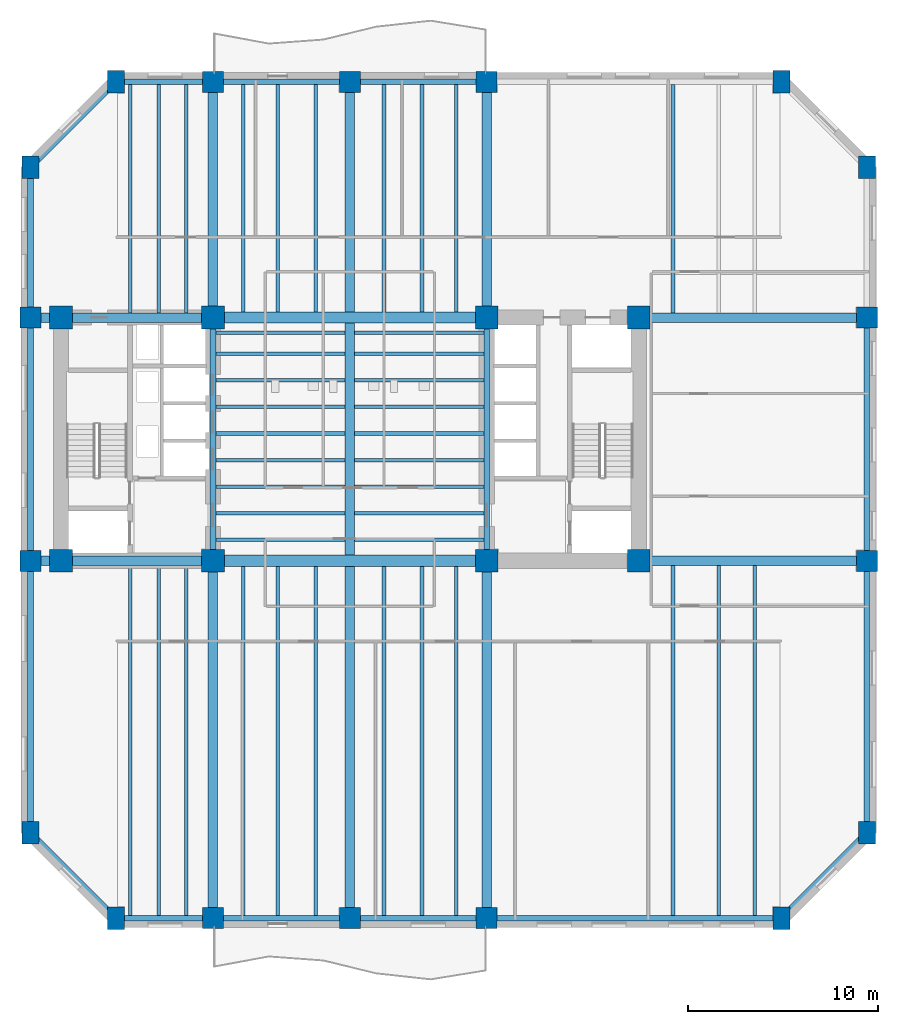
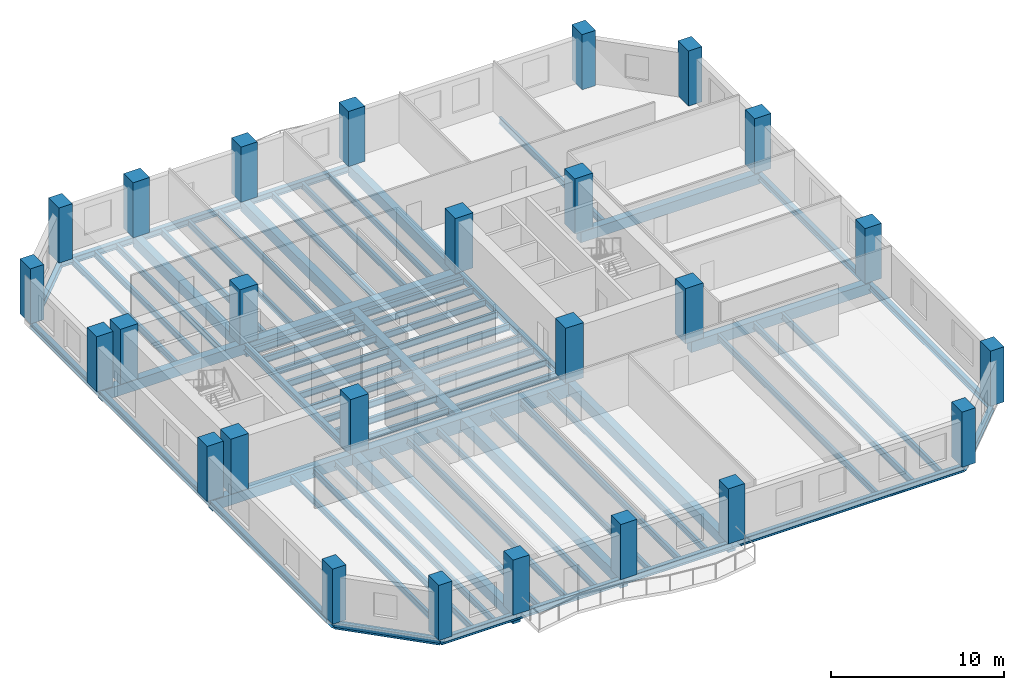
# One storey, part 1 of 9: 70 beams, 26 columns.
"""IFC4 building model written with IfcOpenShell, lengths in metres."""

from ifc_helpers import new_model, si_unit, direction, frame, origin, origin_2d, place, context, subcontext, project, spatial, rectangle, i_section, extrude, material, material_profile, profile_set, type_object, element, save


model = new_model("IFC4")

# Units and contexts
model_context = context("Model", 3, precision=1e-05, world=origin(), true_north=direction((0.0, 1.0)))
body_context = subcontext(model_context, "Body", "Model", "MODEL_VIEW")
ifc_project = project(units=[si_unit("LENGTHUNIT", "METRE"), si_unit("AREAUNIT", "SQUARE_METRE"), si_unit("VOLUMEUNIT", "CUBIC_METRE"), si_unit("PLANEANGLEUNIT", "RADIAN"), si_unit("MASSUNIT", "GRAM", prefix="KILO")], contexts=[model_context])

# Site, building, storey
site_placement = place(None, origin())
site = spatial("IfcSite", under=ifc_project, at=site_placement, CompositionType="ELEMENT")
building_placement = place(site_placement, origin())
building = spatial("IfcBuilding", under=site, at=building_placement, Name="Kranthara Brick Stack", CompositionType="ELEMENT")
storey_placement = place(building_placement, frame((0.0, 0.0, 59.39990234375)))
storey = spatial("IfcBuildingStorey", under=building, at=storey_placement, Name="L14", CompositionType="ELEMENT", Elevation=59.39990234375)

# Columns
ifc_material_1 = material(Name="Concrete C70/85", Category="concrete")
ifc_material_profile_1 = material_profile(ifc_material_1, rectangle(XDim=0.89990234375, YDim=1.199951171875, at=origin_2d()), Name="RC 900x1200")
ifc_profile_set_1 = profile_set([ifc_material_profile_1], Name="Concrete C70/85")
column_type_1 = type_object("IfcColumnType", Name="COL-CHAM-900x1200", PredefinedType="COLUMN", material=ifc_profile_set_1)
for number, where, z_axis, x_axis, name in (
    (1, (15.699951171875, 2.0, 0.0), (0.0, 0.0, 1.0), (1.0, 0.0, 0.0), "L14 Column 09"),
    (2, (15.699951171875, 46.0, 0.0), (0.0, 0.0, 1.0), (1.0, 0.0, 0.0), "L14 Column 10"),
    (3, (50.699951171875, 2.0, 0.0), (0.0, 0.0, 1.0), (1.0, 0.0, 0.0), "L14 Column 17"),
    (4, (50.699951171875, 46.0, 0.0), (0.0, 0.0, 1.0), (1.0, 0.0, 0.0), "L14 Column 18"),
    (5, (11.199951171875, 6.5, 0.0), (0.0, 0.0, 1.0), (1.0, 0.0, 0.0), "L14 Column 19"),
    (6, (55.199951171875, 6.5, 0.0), (0.0, 0.0, 1.0), (1.0, 0.0, 0.0), "L14 Column 20"),
    (7, (11.199951171875, 41.5, 0.0), (0.0, 0.0, 1.0), (1.0, 0.0, 0.0), "L14 Column 25"),
    (8, (55.199951171875, 41.5, 0.0), (0.0, 0.0, 1.0), (1.0, 0.0, 0.0), "L14 Column 26"),
):
    element("IfcColumn", number, at=place(storey_placement, frame(where, z_axis=z_axis, x_axis=x_axis)), inside=storey, type_object=column_type_1, Name=name, PredefinedType="COLUMN", context=body_context, shape_type="SweptSolid", body=[
        extrude(rectangle(XDim=0.89990234375, YDim=1.199951171875, at=origin_2d()), origin(), (0.0, 0.0, 1.0), 3.900146484375),
    ])
ifc_material_2 = material(Name="Concrete C70/85", Category="concrete")
ifc_material_profile_2 = material_profile(ifc_material_2, rectangle(XDim=1.199951171875, YDim=1.199951171875, at=origin_2d()), Name="RC 1200x1200")
ifc_profile_set_2 = profile_set([ifc_material_profile_2], Name="Concrete C70/85")
column_type_2 = type_object("IfcColumnType", Name="COL-CORE-1200", PredefinedType="COLUMN", material=ifc_profile_set_2)
for number, where, z_axis, x_axis, name in (
    (9, (12.800048828125, 20.800048828125, 0.0), (0.0, 0.0, 1.0), (1.0, 0.0, 0.0), "L14 Column 01"),
    (10, (20.800048828125, 20.800048828125, 0.0), (0.0, 0.0, 1.0), (1.0, 0.0, 0.0), "L14 Column 02"),
    (11, (12.800048828125, 33.60009765625, 0.0), (0.0, 0.0, 1.0), (1.0, 0.0, 0.0), "L14 Column 03"),
    (12, (20.800048828125, 33.60009765625, 0.0), (0.0, 0.0, 1.0), (1.0, 0.0, 0.0), "L14 Column 04"),
    (13, (35.199951171875, 20.800048828125, 0.0), (0.0, 0.0, 1.0), (1.0, 0.0, 0.0), "L14 Column 05"),
    (14, (43.199951171875, 20.800048828125, 0.0), (0.0, 0.0, 1.0), (1.0, 0.0, 0.0), "L14 Column 06"),
    (15, (35.199951171875, 33.60009765625, 0.0), (0.0, 0.0, 1.0), (1.0, 0.0, 0.0), "L14 Column 07"),
    (16, (43.199951171875, 33.60009765625, 0.0), (0.0, 0.0, 1.0), (1.0, 0.0, 0.0), "L14 Column 08"),
):
    element("IfcColumn", number, at=place(storey_placement, frame(where, z_axis=z_axis, x_axis=x_axis)), inside=storey, type_object=column_type_2, Name=name, PredefinedType="COLUMN", context=body_context, shape_type="SweptSolid", body=[
        extrude(rectangle(XDim=1.199951171875, YDim=1.199951171875, at=origin_2d()), origin(), (0.0, 0.0, 1.0), 3.900146484375),
    ])
ifc_material_3 = material(Name="Concrete C70/85", Category="concrete")
ifc_material_profile_3 = material_profile(ifc_material_3, rectangle(XDim=1.10009765625, YDim=1.10009765625, at=origin_2d()), Name="RC 1100x1100")
ifc_profile_set_3 = profile_set([ifc_material_profile_3], Name="Concrete C70/85")
column_type_3 = type_object("IfcColumnType", Name="COL-PER-1100", PredefinedType="COLUMN", material=ifc_profile_set_3)
for number, where, z_axis, x_axis, name in (
    (17, (20.800048828125, 2.0, 0.0), (0.0, 0.0, 1.0), (1.0, 0.0, 0.0), "L14 Column 11"),
    (18, (20.800048828125, 46.0, 0.0), (0.0, 0.0, 1.0), (1.0, 0.0, 0.0), "L14 Column 12"),
    (19, (28.0, 2.0, 0.0), (0.0, 0.0, 1.0), (1.0, 0.0, 0.0), "L14 Column 13"),
    (20, (28.0, 46.0, 0.0), (0.0, 0.0, 1.0), (1.0, 0.0, 0.0), "L14 Column 14"),
    (21, (35.199951171875, 2.0, 0.0), (0.0, 0.0, 1.0), (1.0, 0.0, 0.0), "L14 Column 15"),
    (22, (35.199951171875, 46.0, 0.0), (0.0, 0.0, 1.0), (1.0, 0.0, 0.0), "L14 Column 16"),
    (23, (11.199951171875, 20.800048828125, 0.0), (0.0, 0.0, 1.0), (1.0, 0.0, 0.0), "L14 Column 21"),
    (24, (55.199951171875, 20.800048828125, 0.0), (0.0, 0.0, 1.0), (1.0, 0.0, 0.0), "L14 Column 22"),
    (25, (11.199951171875, 33.60009765625, 0.0), (0.0, 0.0, 1.0), (1.0, 0.0, 0.0), "L14 Column 23"),
    (26, (55.199951171875, 33.60009765625, 0.0), (0.0, 0.0, 1.0), (1.0, 0.0, 0.0), "L14 Column 24"),
):
    element("IfcColumn", number, at=place(storey_placement, frame(where, z_axis=z_axis, x_axis=x_axis)), inside=storey, type_object=column_type_3, Name=name, PredefinedType="COLUMN", context=body_context, shape_type="SweptSolid", body=[
        extrude(rectangle(XDim=1.10009765625, YDim=1.10009765625, at=origin_2d()), origin(), (0.0, 0.0, 1.0), 3.900146484375),
    ])

# Beams
ifc_material_4 = material(Name="Concrete C60/75", Category="concrete")
ifc_material_profile_4 = material_profile(ifc_material_4, rectangle(XDim=0.60009765625, YDim=0.949951171875, at=origin_2d()), Name="RC 600x950")
ifc_profile_set_4 = profile_set([ifc_material_profile_4], Name="Concrete C60/75")
beam_type_1 = type_object("IfcBeamType", Name="BM-CPL-RC950", PredefinedType="LINTEL", material=ifc_profile_set_4)
for number, where, z_axis, x_axis, name in (
    (27, (20.800048828125, 20.800048828125, -0.77490234375), (1.0, 0.0, 0.0), (0.0, 1.0, 0.0), "L14 Core Coupling Beam 001"),
    (28, (20.800048828125, 33.60009765625, -0.77490234375), (1.0, 0.0, 0.0), (0.0, 1.0, 0.0), "L14 Core Coupling Beam 002"),
):
    element("IfcBeam", number, at=place(storey_placement, frame(where, z_axis=z_axis, x_axis=x_axis)), inside=storey, type_object=beam_type_1, Name=name, PredefinedType="LINTEL", context=body_context, shape_type="SweptSolid", body=[
        extrude(rectangle(XDim=0.60009765625, YDim=0.949951171875, at=origin_2d()), origin(), (0.0, 0.0, 1.0), 14.39990234375),
    ])
ifc_material_5 = material(Name="Post-tensioned concrete C45/55", Category="concrete")
ifc_material_profile_5 = material_profile(ifc_material_5, rectangle(XDim=0.5, YDim=0.75, at=origin_2d()), Name="PT 500x750")
ifc_profile_set_5 = profile_set([ifc_material_profile_5], Name="Post-tensioned concrete C45/55")
beam_type_2 = type_object("IfcBeamType", Name="BM-FLR-PT750", PredefinedType="BEAM", material=ifc_profile_set_5)
beam_1_placement = place(storey_placement, frame((20.800048828125, 2.0, -0.6748046875), z_axis=(0.0, 1.0, 0.0), x_axis=(-1.0, 0.0, 0.0)))
element("IfcBeam", 29, at=beam_1_placement, inside=storey, type_object=beam_type_2, Name="L14 Primary Grid Girder 023", PredefinedType="BEAM", context=body_context, shape_type="SweptSolid", body=[
    extrude(rectangle(XDim=0.5, YDim=0.75, at=origin_2d()), origin(), (0.0, 0.0, 1.0), 18.800048828125),
])
beam_2_placement = place(storey_placement, frame((20.800048828125, 33.60009765625, -0.6748046875), z_axis=(0.0, 1.0, 0.0), x_axis=(-1.0, 0.0, 0.0)))
element("IfcBeam", 30, at=beam_2_placement, inside=storey, type_object=beam_type_2, Name="L14 Primary Grid Girder 024", PredefinedType="BEAM", context=body_context, shape_type="SweptSolid", body=[
    extrude(rectangle(XDim=0.5, YDim=0.75, at=origin_2d()), origin(), (0.0, 0.0, 1.0), 12.39990234375),
])
beam_3_placement = place(storey_placement, frame((28.0, 2.0, -0.6748046875), z_axis=(0.0, 1.0, 0.0), x_axis=(-1.0, 0.0, 0.0)))
element("IfcBeam", 31, at=beam_3_placement, inside=storey, type_object=beam_type_2, Name="L14 Primary Grid Girder 025", PredefinedType="BEAM", context=body_context, shape_type="SweptSolid", body=[
    extrude(rectangle(XDim=0.5, YDim=0.75, at=origin_2d()), origin(), (0.0, 0.0, 1.0), 18.5),
])
beam_4_placement = place(storey_placement, frame((28.0, 21.10009765625, -0.6748046875), z_axis=(0.0, 1.0, 0.0), x_axis=(-1.0, 0.0, 0.0)))
element("IfcBeam", 32, at=beam_4_placement, inside=storey, type_object=beam_type_2, Name="L14 Central Spine Girder 026", PredefinedType="BEAM", context=body_context, shape_type="SweptSolid", body=[
    extrude(rectangle(XDim=0.5, YDim=0.75, at=origin_2d()), origin(), (0.0, 0.0, 1.0), 12.199951171875),
])
beam_5_placement = place(storey_placement, frame((28.0, 33.89990234375, -0.6748046875), z_axis=(0.0, 1.0, 0.0), x_axis=(-1.0, 0.0, 0.0)))
element("IfcBeam", 33, at=beam_5_placement, inside=storey, type_object=beam_type_2, Name="L14 Primary Grid Girder 027", PredefinedType="BEAM", context=body_context, shape_type="SweptSolid", body=[
    extrude(rectangle(XDim=0.5, YDim=0.75, at=origin_2d()), origin(), (0.0, 0.0, 1.0), 12.10009765625),
])
beam_6_placement = place(storey_placement, frame((35.199951171875, 2.0, -0.6748046875), z_axis=(0.0, 1.0, 0.0), x_axis=(-1.0, 0.0, 0.0)))
element("IfcBeam", 34, at=beam_6_placement, inside=storey, type_object=beam_type_2, Name="L14 Primary Grid Girder 028", PredefinedType="BEAM", context=body_context, shape_type="SweptSolid", body=[
    extrude(rectangle(XDim=0.5, YDim=0.75, at=origin_2d()), origin(), (0.0, 0.0, 1.0), 18.800048828125),
])
beam_7_placement = place(storey_placement, frame((35.199951171875, 33.60009765625, -0.6748046875), z_axis=(0.0, 1.0, 0.0), x_axis=(-1.0, 0.0, 0.0)))
element("IfcBeam", 35, at=beam_7_placement, inside=storey, type_object=beam_type_2, Name="L14 Primary Grid Girder 029", PredefinedType="BEAM", context=body_context, shape_type="SweptSolid", body=[
    extrude(rectangle(XDim=0.5, YDim=0.75, at=origin_2d()), origin(), (0.0, 0.0, 1.0), 12.39990234375),
])
beam_8_placement = place(storey_placement, frame((11.199951171875, 20.800048828125, -0.6748046875), z_axis=(1.0, 0.0, 0.0), x_axis=(0.0, 1.0, 0.0)))
element("IfcBeam", 36, at=beam_8_placement, inside=storey, type_object=beam_type_2, Name="L14 Primary Grid Girder 030", PredefinedType="BEAM", context=body_context, shape_type="SweptSolid", body=[
    extrude(rectangle(XDim=0.5, YDim=0.75, at=origin_2d()), origin(), (0.0, 0.0, 1.0), 9.60009765625),
])
beam_9_placement = place(storey_placement, frame((43.199951171875, 20.800048828125, -0.6748046875), z_axis=(1.0, 0.0, 0.0), x_axis=(0.0, 1.0, 0.0)))
element("IfcBeam", 37, at=beam_9_placement, inside=storey, type_object=beam_type_2, Name="L14 Primary Grid Girder 031", PredefinedType="BEAM", context=body_context, shape_type="SweptSolid", body=[
    extrude(rectangle(XDim=0.5, YDim=0.75, at=origin_2d()), origin(), (0.0, 0.0, 1.0), 12.0),
])
beam_10_placement = place(storey_placement, frame((11.199951171875, 33.60009765625, -0.6748046875), z_axis=(1.0, 0.0, 0.0), x_axis=(0.0, 1.0, 0.0)))
element("IfcBeam", 38, at=beam_10_placement, inside=storey, type_object=beam_type_2, Name="L14 Primary Grid Girder 032", PredefinedType="BEAM", context=body_context, shape_type="SweptSolid", body=[
    extrude(rectangle(XDim=0.5, YDim=0.75, at=origin_2d()), origin(), (0.0, 0.0, 1.0), 9.60009765625),
])
beam_11_placement = place(storey_placement, frame((43.199951171875, 33.60009765625, -0.6748046875), z_axis=(1.0, 0.0, 0.0), x_axis=(0.0, 1.0, 0.0)))
element("IfcBeam", 39, at=beam_11_placement, inside=storey, type_object=beam_type_2, Name="L14 Primary Grid Girder 033", PredefinedType="BEAM", context=body_context, shape_type="SweptSolid", body=[
    extrude(rectangle(XDim=0.5, YDim=0.75, at=origin_2d()), origin(), (0.0, 0.0, 1.0), 12.0),
])
ifc_material_6 = material(Name="Steel S355", Category="steel")
ifc_material_profile_6 = material_profile(ifc_material_6, i_section(OverallWidth=0.18994140625, OverallDepth=0.449951171875, WebThickness=0.009521484375, FlangeThickness=0.0146484375, at=origin_2d()), Name="IPE 450")
ifc_profile_set_6 = profile_set([ifc_material_profile_6], Name="Steel S355")
beam_type_3 = type_object("IfcBeamType", Name="BM-JST-IPE450", PredefinedType="JOIST", material=ifc_profile_set_6)
for number, where, z_axis, x_axis, name in (
    (40, (20.949951171875, 21.89990234375, -0.52490234375), (1.0, 0.0, 0.0), (0.0, 1.0, 0.0), "L14 Central Floor Joist 034"),
    (41, (28.25, 21.89990234375, -0.52490234375), (1.0, 0.0, 0.0), (0.0, 1.0, 0.0), "L14 Central Floor Joist 035"),
    (42, (20.949951171875, 23.300048828125, -0.52490234375), (1.0, 0.0, 0.0), (0.0, 1.0, 0.0), "L14 Central Floor Joist 036"),
    (43, (28.25, 23.300048828125, -0.52490234375), (1.0, 0.0, 0.0), (0.0, 1.0, 0.0), "L14 Central Floor Joist 037"),
    (44, (20.949951171875, 24.699951171875, -0.52490234375), (1.0, 0.0, 0.0), (0.0, 1.0, 0.0), "L14 Central Floor Joist 038"),
    (45, (28.25, 24.699951171875, -0.52490234375), (1.0, 0.0, 0.0), (0.0, 1.0, 0.0), "L14 Central Floor Joist 039"),
    (46, (20.949951171875, 26.10009765625, -0.52490234375), (1.0, 0.0, 0.0), (0.0, 1.0, 0.0), "L14 Central Floor Joist 040"),
    (47, (28.25, 26.10009765625, -0.52490234375), (1.0, 0.0, 0.0), (0.0, 1.0, 0.0), "L14 Central Floor Joist 041"),
    (48, (20.949951171875, 27.5, -0.52490234375), (1.0, 0.0, 0.0), (0.0, 1.0, 0.0), "L14 Central Floor Joist 042"),
    (49, (28.25, 27.5, -0.52490234375), (1.0, 0.0, 0.0), (0.0, 1.0, 0.0), "L14 Central Floor Joist 043"),
    (50, (20.949951171875, 28.89990234375, -0.52490234375), (1.0, 0.0, 0.0), (0.0, 1.0, 0.0), "L14 Central Floor Joist 044"),
    (51, (28.25, 28.89990234375, -0.52490234375), (1.0, 0.0, 0.0), (0.0, 1.0, 0.0), "L14 Central Floor Joist 045"),
    (52, (20.949951171875, 30.300048828125, -0.52490234375), (1.0, 0.0, 0.0), (0.0, 1.0, 0.0), "L14 Central Floor Joist 046"),
    (53, (28.25, 30.300048828125, -0.52490234375), (1.0, 0.0, 0.0), (0.0, 1.0, 0.0), "L14 Central Floor Joist 047"),
    (54, (20.949951171875, 31.699951171875, -0.52490234375), (1.0, 0.0, 0.0), (0.0, 1.0, 0.0), "L14 Central Floor Joist 048"),
    (55, (28.25, 31.699951171875, -0.52490234375), (1.0, 0.0, 0.0), (0.0, 1.0, 0.0), "L14 Central Floor Joist 049"),
    (56, (20.949951171875, 32.800048828125, -0.52490234375), (1.0, 0.0, 0.0), (0.0, 1.0, 0.0), "L14 Central Floor Joist 050"),
    (57, (28.25, 32.800048828125, -0.52490234375), (1.0, 0.0, 0.0), (0.0, 1.0, 0.0), "L14 Central Floor Joist 051"),
):
    element("IfcBeam", number, at=place(storey_placement, frame(where, z_axis=z_axis, x_axis=x_axis)), inside=storey, type_object=beam_type_3, Name=name, PredefinedType="JOIST", context=body_context, shape_type="SweptSolid", body=[
        extrude(i_section(OverallWidth=0.18994140625, OverallDepth=0.449951171875, WebThickness=0.009521484375, FlangeThickness=0.0146484375, at=origin_2d()), origin(), (0.0, 0.0, 1.0), 6.800048828125),
    ])
beam_12_placement = place(storey_placement, frame((16.449951171875, 2.14990234375, -0.52490234375), z_axis=(0.0, 1.0, 0.0), x_axis=(-1.0, 0.0, 0.0)))
element("IfcBeam", 58, at=beam_12_placement, inside=storey, type_object=beam_type_3, Name="L14 South Wing Floor Joist 052", PredefinedType="JOIST", context=body_context, shape_type="SweptSolid", body=[
    extrude(i_section(OverallWidth=0.18994140625, OverallDepth=0.449951171875, WebThickness=0.009521484375, FlangeThickness=0.0146484375, at=origin_2d()), origin(), (0.0, 0.0, 1.0), 18.400146484375),
])
beam_13_placement = place(storey_placement, frame((16.449951171875, 33.85009765625, -0.52490234375), z_axis=(0.0, 1.0, 0.0), x_axis=(-1.0, 0.0, 0.0)))
element("IfcBeam", 59, at=beam_13_placement, inside=storey, type_object=beam_type_3, Name="L14 North Wing Floor Joist 053", PredefinedType="JOIST", context=body_context, shape_type="SweptSolid", body=[
    extrude(i_section(OverallWidth=0.18994140625, OverallDepth=0.449951171875, WebThickness=0.009521484375, FlangeThickness=0.0146484375, at=origin_2d()), origin(), (0.0, 0.0, 1.0), 12.0),
])
beam_14_placement = place(storey_placement, frame((17.949951171875, 2.14990234375, -0.52490234375), z_axis=(0.0, 1.0, 0.0), x_axis=(-1.0, 0.0, 0.0)))
element("IfcBeam", 60, at=beam_14_placement, inside=storey, type_object=beam_type_3, Name="L14 South Wing Floor Joist 054", PredefinedType="JOIST", context=body_context, shape_type="SweptSolid", body=[
    extrude(i_section(OverallWidth=0.18994140625, OverallDepth=0.449951171875, WebThickness=0.009521484375, FlangeThickness=0.0146484375, at=origin_2d()), origin(), (0.0, 0.0, 1.0), 18.400146484375),
])
beam_15_placement = place(storey_placement, frame((17.949951171875, 33.85009765625, -0.52490234375), z_axis=(0.0, 1.0, 0.0), x_axis=(-1.0, 0.0, 0.0)))
element("IfcBeam", 61, at=beam_15_placement, inside=storey, type_object=beam_type_3, Name="L14 North Wing Floor Joist 055", PredefinedType="JOIST", context=body_context, shape_type="SweptSolid", body=[
    extrude(i_section(OverallWidth=0.18994140625, OverallDepth=0.449951171875, WebThickness=0.009521484375, FlangeThickness=0.0146484375, at=origin_2d()), origin(), (0.0, 0.0, 1.0), 12.0),
])
beam_16_placement = place(storey_placement, frame((19.39990234375, 2.14990234375, -0.52490234375), z_axis=(0.0, 1.0, 0.0), x_axis=(-1.0, 0.0, 0.0)))
element("IfcBeam", 62, at=beam_16_placement, inside=storey, type_object=beam_type_3, Name="L14 South Wing Floor Joist 056", PredefinedType="JOIST", context=body_context, shape_type="SweptSolid", body=[
    extrude(i_section(OverallWidth=0.18994140625, OverallDepth=0.449951171875, WebThickness=0.009521484375, FlangeThickness=0.0146484375, at=origin_2d()), origin(), (0.0, 0.0, 1.0), 18.400146484375),
])
beam_17_placement = place(storey_placement, frame((19.39990234375, 33.85009765625, -0.52490234375), z_axis=(0.0, 1.0, 0.0), x_axis=(-1.0, 0.0, 0.0)))
element("IfcBeam", 63, at=beam_17_placement, inside=storey, type_object=beam_type_3, Name="L14 North Wing Floor Joist 057", PredefinedType="JOIST", context=body_context, shape_type="SweptSolid", body=[
    extrude(i_section(OverallWidth=0.18994140625, OverallDepth=0.449951171875, WebThickness=0.009521484375, FlangeThickness=0.0146484375, at=origin_2d()), origin(), (0.0, 0.0, 1.0), 12.0),
])
beam_18_placement = place(storey_placement, frame((22.39990234375, 2.14990234375, -0.52490234375), z_axis=(0.0, 1.0, 0.0), x_axis=(-1.0, 0.0, 0.0)))
element("IfcBeam", 64, at=beam_18_placement, inside=storey, type_object=beam_type_3, Name="L14 South Wing Floor Joist 058", PredefinedType="JOIST", context=body_context, shape_type="SweptSolid", body=[
    extrude(i_section(OverallWidth=0.18994140625, OverallDepth=0.449951171875, WebThickness=0.009521484375, FlangeThickness=0.0146484375, at=origin_2d()), origin(), (0.0, 0.0, 1.0), 18.35009765625),
])
beam_19_placement = place(storey_placement, frame((22.39990234375, 33.89990234375, -0.52490234375), z_axis=(0.0, 1.0, 0.0), x_axis=(-1.0, 0.0, 0.0)))
element("IfcBeam", 65, at=beam_19_placement, inside=storey, type_object=beam_type_3, Name="L14 North Wing Floor Joist 059", PredefinedType="JOIST", context=body_context, shape_type="SweptSolid", body=[
    extrude(i_section(OverallWidth=0.18994140625, OverallDepth=0.449951171875, WebThickness=0.009521484375, FlangeThickness=0.0146484375, at=origin_2d()), origin(), (0.0, 0.0, 1.0), 11.9501953125),
])
beam_20_placement = place(storey_placement, frame((24.199951171875, 2.14990234375, -0.52490234375), z_axis=(0.0, 1.0, 0.0), x_axis=(-1.0, 0.0, 0.0)))
element("IfcBeam", 66, at=beam_20_placement, inside=storey, type_object=beam_type_3, Name="L14 South Wing Floor Joist 060", PredefinedType="JOIST", context=body_context, shape_type="SweptSolid", body=[
    extrude(i_section(OverallWidth=0.18994140625, OverallDepth=0.449951171875, WebThickness=0.009521484375, FlangeThickness=0.0146484375, at=origin_2d()), origin(), (0.0, 0.0, 1.0), 18.35009765625),
])
beam_21_placement = place(storey_placement, frame((24.199951171875, 33.89990234375, -0.52490234375), z_axis=(0.0, 1.0, 0.0), x_axis=(-1.0, 0.0, 0.0)))
element("IfcBeam", 67, at=beam_21_placement, inside=storey, type_object=beam_type_3, Name="L14 North Wing Floor Joist 061", PredefinedType="JOIST", context=body_context, shape_type="SweptSolid", body=[
    extrude(i_section(OverallWidth=0.18994140625, OverallDepth=0.449951171875, WebThickness=0.009521484375, FlangeThickness=0.0146484375, at=origin_2d()), origin(), (0.0, 0.0, 1.0), 11.9501953125),
])
beam_22_placement = place(storey_placement, frame((26.199951171875, 2.14990234375, -0.52490234375), z_axis=(0.0, 1.0, 0.0), x_axis=(-1.0, 0.0, 0.0)))
element("IfcBeam", 68, at=beam_22_placement, inside=storey, type_object=beam_type_3, Name="L14 South Wing Floor Joist 062", PredefinedType="JOIST", context=body_context, shape_type="SweptSolid", body=[
    extrude(i_section(OverallWidth=0.18994140625, OverallDepth=0.449951171875, WebThickness=0.009521484375, FlangeThickness=0.0146484375, at=origin_2d()), origin(), (0.0, 0.0, 1.0), 18.35009765625),
])
beam_23_placement = place(storey_placement, frame((26.199951171875, 33.89990234375, -0.52490234375), z_axis=(0.0, 1.0, 0.0), x_axis=(-1.0, 0.0, 0.0)))
element("IfcBeam", 69, at=beam_23_placement, inside=storey, type_object=beam_type_3, Name="L14 North Wing Floor Joist 063", PredefinedType="JOIST", context=body_context, shape_type="SweptSolid", body=[
    extrude(i_section(OverallWidth=0.18994140625, OverallDepth=0.449951171875, WebThickness=0.009521484375, FlangeThickness=0.0146484375, at=origin_2d()), origin(), (0.0, 0.0, 1.0), 11.9501953125),
])
beam_24_placement = place(storey_placement, frame((29.800048828125, 2.14990234375, -0.52490234375), z_axis=(0.0, 1.0, 0.0), x_axis=(-1.0, 0.0, 0.0)))
element("IfcBeam", 70, at=beam_24_placement, inside=storey, type_object=beam_type_3, Name="L14 South Wing Floor Joist 064", PredefinedType="JOIST", context=body_context, shape_type="SweptSolid", body=[
    extrude(i_section(OverallWidth=0.18994140625, OverallDepth=0.449951171875, WebThickness=0.009521484375, FlangeThickness=0.0146484375, at=origin_2d()), origin(), (0.0, 0.0, 1.0), 18.35009765625),
])
beam_25_placement = place(storey_placement, frame((29.800048828125, 33.89990234375, -0.52490234375), z_axis=(0.0, 1.0, 0.0), x_axis=(-1.0, 0.0, 0.0)))
element("IfcBeam", 71, at=beam_25_placement, inside=storey, type_object=beam_type_3, Name="L14 North Wing Floor Joist 065", PredefinedType="JOIST", context=body_context, shape_type="SweptSolid", body=[
    extrude(i_section(OverallWidth=0.18994140625, OverallDepth=0.449951171875, WebThickness=0.009521484375, FlangeThickness=0.0146484375, at=origin_2d()), origin(), (0.0, 0.0, 1.0), 11.9501953125),
])
beam_26_placement = place(storey_placement, frame((31.800048828125, 2.14990234375, -0.52490234375), z_axis=(0.0, 1.0, 0.0), x_axis=(-1.0, 0.0, 0.0)))
element("IfcBeam", 72, at=beam_26_placement, inside=storey, type_object=beam_type_3, Name="L14 South Wing Floor Joist 066", PredefinedType="JOIST", context=body_context, shape_type="SweptSolid", body=[
    extrude(i_section(OverallWidth=0.18994140625, OverallDepth=0.449951171875, WebThickness=0.009521484375, FlangeThickness=0.0146484375, at=origin_2d()), origin(), (0.0, 0.0, 1.0), 18.35009765625),
])
beam_27_placement = place(storey_placement, frame((31.800048828125, 33.89990234375, -0.52490234375), z_axis=(0.0, 1.0, 0.0), x_axis=(-1.0, 0.0, 0.0)))
element("IfcBeam", 73, at=beam_27_placement, inside=storey, type_object=beam_type_3, Name="L14 North Wing Floor Joist 067", PredefinedType="JOIST", context=body_context, shape_type="SweptSolid", body=[
    extrude(i_section(OverallWidth=0.18994140625, OverallDepth=0.449951171875, WebThickness=0.009521484375, FlangeThickness=0.0146484375, at=origin_2d()), origin(), (0.0, 0.0, 1.0), 11.9501953125),
])
beam_28_placement = place(storey_placement, frame((33.60009765625, 2.14990234375, -0.52490234375), z_axis=(0.0, 1.0, 0.0), x_axis=(-1.0, 0.0, 0.0)))
element("IfcBeam", 74, at=beam_28_placement, inside=storey, type_object=beam_type_3, Name="L14 South Wing Floor Joist 068", PredefinedType="JOIST", context=body_context, shape_type="SweptSolid", body=[
    extrude(i_section(OverallWidth=0.18994140625, OverallDepth=0.449951171875, WebThickness=0.009521484375, FlangeThickness=0.0146484375, at=origin_2d()), origin(), (0.0, 0.0, 1.0), 18.35009765625),
])
beam_29_placement = place(storey_placement, frame((33.60009765625, 33.89990234375, -0.52490234375), z_axis=(0.0, 1.0, 0.0), x_axis=(-1.0, 0.0, 0.0)))
element("IfcBeam", 75, at=beam_29_placement, inside=storey, type_object=beam_type_3, Name="L14 North Wing Floor Joist 069", PredefinedType="JOIST", context=body_context, shape_type="SweptSolid", body=[
    extrude(i_section(OverallWidth=0.18994140625, OverallDepth=0.449951171875, WebThickness=0.009521484375, FlangeThickness=0.0146484375, at=origin_2d()), origin(), (0.0, 0.0, 1.0), 11.9501953125),
])
beam_30_placement = place(storey_placement, frame((45.0, 2.14990234375, -0.52490234375), z_axis=(0.0, 1.0, 0.0), x_axis=(-1.0, 0.0, 0.0)))
element("IfcBeam", 76, at=beam_30_placement, inside=storey, type_object=beam_type_3, Name="L14 South Wing Floor Joist 070", PredefinedType="JOIST", context=body_context, shape_type="SweptSolid", body=[
    extrude(i_section(OverallWidth=0.18994140625, OverallDepth=0.449951171875, WebThickness=0.009521484375, FlangeThickness=0.0146484375, at=origin_2d()), origin(), (0.0, 0.0, 1.0), 18.400146484375),
])
beam_31_placement = place(storey_placement, frame((45.0, 33.85009765625, -0.52490234375), z_axis=(0.0, 1.0, 0.0), x_axis=(-1.0, 0.0, 0.0)))
element("IfcBeam", 77, at=beam_31_placement, inside=storey, type_object=beam_type_3, Name="L14 North Wing Floor Joist 071", PredefinedType="JOIST", context=body_context, shape_type="SweptSolid", body=[
    extrude(i_section(OverallWidth=0.18994140625, OverallDepth=0.449951171875, WebThickness=0.009521484375, FlangeThickness=0.0146484375, at=origin_2d()), origin(), (0.0, 0.0, 1.0), 12.0),
])
for number, where, z_axis, x_axis, name in (
    (78, (47.39990234375, 2.14990234375, -0.52490234375), (0.0, 1.0, 0.0), (-1.0, 0.0, 0.0), "L14 South Wing Floor Joist 072"),
    (79, (49.300048828125, 2.14990234375, -0.52490234375), (0.0, 1.0, 0.0), (-1.0, 0.0, 0.0), "L14 South Wing Floor Joist 074"),
):
    element("IfcBeam", number, at=place(storey_placement, frame(where, z_axis=z_axis, x_axis=x_axis)), inside=storey, type_object=beam_type_3, Name=name, PredefinedType="JOIST", context=body_context, shape_type="SweptSolid", body=[
        extrude(i_section(OverallWidth=0.18994140625, OverallDepth=0.449951171875, WebThickness=0.009521484375, FlangeThickness=0.0146484375, at=origin_2d()), origin(), (0.0, 0.0, 1.0), 18.400146484375),
    ])
ifc_material_7 = material(Name="Steel S355", Category="steel")
ifc_material_profile_7 = material_profile(ifc_material_7, i_section(OverallWidth=0.300048828125, OverallDepth=0.449951171875, WebThickness=0.013916015625, FlangeThickness=0.02587890625, at=origin_2d()), Name="HEB 450")
ifc_profile_set_7 = profile_set([ifc_material_profile_7], Name="Steel S355")
beam_type_4 = type_object("IfcBeamType", Name="BM-STL-HEB450", PredefinedType="SPANDREL", material=ifc_profile_set_7)
for number, where, z_axis, x_axis, name in (
    (80, (20.800048828125, 20.800048828125, -0.52490234375), (0.0, 1.0, 0.0), (-1.0, 0.0, 0.0), "L14 Core Edge Tie Beam 003"),
    (81, (35.199951171875, 20.800048828125, -0.52490234375), (0.0, 1.0, 0.0), (-1.0, 0.0, 0.0), "L14 Core Edge Tie Beam 004"),
):
    element("IfcBeam", number, at=place(storey_placement, frame(where, z_axis=z_axis, x_axis=x_axis)), inside=storey, type_object=beam_type_4, Name=name, PredefinedType="SPANDREL", context=body_context, shape_type="SweptSolid", body=[
        extrude(i_section(OverallWidth=0.300048828125, OverallDepth=0.449951171875, WebThickness=0.013916015625, FlangeThickness=0.02587890625, at=origin_2d()), origin(), (0.0, 0.0, 1.0), 12.800048828125),
    ])
beam_32_placement = place(storey_placement, frame((15.699951171875, 2.0, -0.52490234375), z_axis=(1.0, 0.0, 0.0), x_axis=(0.0, 1.0, 0.0)))
element("IfcBeam", 82, at=beam_32_placement, inside=storey, type_object=beam_type_4, Name="L14 Perimeter Spandrel Beam 005", PredefinedType="SPANDREL", context=body_context, shape_type="SweptSolid", body=[
    extrude(i_section(OverallWidth=0.300048828125, OverallDepth=0.449951171875, WebThickness=0.013916015625, FlangeThickness=0.02587890625, at=origin_2d()), origin(), (0.0, 0.0, 1.0), 5.10009765625),
])
for number, where, z_axis, x_axis, name in (
    (83, (20.800048828125, 2.0, -0.52490234375), (1.0, 0.0, 0.0), (0.0, 1.0, 0.0), "L14 Perimeter Spandrel Beam 006"),
    (84, (28.0, 2.0, -0.52490234375), (1.0, 0.0, 0.0), (0.0, 1.0, 0.0), "L14 Perimeter Spandrel Beam 007"),
):
    element("IfcBeam", number, at=place(storey_placement, frame(where, z_axis=z_axis, x_axis=x_axis)), inside=storey, type_object=beam_type_4, Name=name, PredefinedType="SPANDREL", context=body_context, shape_type="SweptSolid", body=[
        extrude(i_section(OverallWidth=0.300048828125, OverallDepth=0.449951171875, WebThickness=0.013916015625, FlangeThickness=0.02587890625, at=origin_2d()), origin(), (0.0, 0.0, 1.0), 7.199951171875),
    ])
beam_33_placement = place(storey_placement, frame((35.199951171875, 2.0, -0.52490234375), z_axis=(1.0, 0.0, 0.0), x_axis=(0.0, 1.0, 0.0)))
element("IfcBeam", 85, at=beam_33_placement, inside=storey, type_object=beam_type_4, Name="L14 Perimeter Spandrel Beam 008", PredefinedType="SPANDREL", context=body_context, shape_type="SweptSolid", body=[
    extrude(i_section(OverallWidth=0.300048828125, OverallDepth=0.449951171875, WebThickness=0.013916015625, FlangeThickness=0.02587890625, at=origin_2d()), origin(), (0.0, 0.0, 1.0), 15.5),
])
beam_34_placement = place(storey_placement, frame((15.699951171875, 46.0, -0.52490234375), z_axis=(1.0, 0.0, 0.0), x_axis=(0.0, 1.0, 0.0)))
element("IfcBeam", 86, at=beam_34_placement, inside=storey, type_object=beam_type_4, Name="L14 Perimeter Spandrel Beam 009", PredefinedType="SPANDREL", context=body_context, shape_type="SweptSolid", body=[
    extrude(i_section(OverallWidth=0.300048828125, OverallDepth=0.449951171875, WebThickness=0.013916015625, FlangeThickness=0.02587890625, at=origin_2d()), origin(), (0.0, 0.0, 1.0), 5.10009765625),
])
for number, where, z_axis, x_axis, name in (
    (87, (20.800048828125, 46.0, -0.52490234375), (1.0, 0.0, 0.0), (0.0, 1.0, 0.0), "L14 Perimeter Spandrel Beam 010"),
    (88, (28.0, 46.0, -0.52490234375), (1.0, 0.0, 0.0), (0.0, 1.0, 0.0), "L14 Perimeter Spandrel Beam 011"),
):
    element("IfcBeam", number, at=place(storey_placement, frame(where, z_axis=z_axis, x_axis=x_axis)), inside=storey, type_object=beam_type_4, Name=name, PredefinedType="SPANDREL", context=body_context, shape_type="SweptSolid", body=[
        extrude(i_section(OverallWidth=0.300048828125, OverallDepth=0.449951171875, WebThickness=0.013916015625, FlangeThickness=0.02587890625, at=origin_2d()), origin(), (0.0, 0.0, 1.0), 7.199951171875),
    ])
beam_35_placement = place(storey_placement, frame((11.199951171875, 6.5, -0.52490234375), z_axis=(0.0, 1.0, 0.0), x_axis=(-1.0, 0.0, 0.0)))
element("IfcBeam", 89, at=beam_35_placement, inside=storey, type_object=beam_type_4, Name="L14 Perimeter Spandrel Beam 013", PredefinedType="SPANDREL", context=body_context, shape_type="SweptSolid", body=[
    extrude(i_section(OverallWidth=0.300048828125, OverallDepth=0.449951171875, WebThickness=0.013916015625, FlangeThickness=0.02587890625, at=origin_2d()), origin(), (0.0, 0.0, 1.0), 14.300048828125),
])
beam_36_placement = place(storey_placement, frame((11.199951171875, 20.800048828125, -0.52490234375), z_axis=(0.0, 1.0, 0.0), x_axis=(-1.0, 0.0, 0.0)))
element("IfcBeam", 90, at=beam_36_placement, inside=storey, type_object=beam_type_4, Name="L14 Perimeter Spandrel Beam 014", PredefinedType="SPANDREL", context=body_context, shape_type="SweptSolid", body=[
    extrude(i_section(OverallWidth=0.300048828125, OverallDepth=0.449951171875, WebThickness=0.013916015625, FlangeThickness=0.02587890625, at=origin_2d()), origin(), (0.0, 0.0, 1.0), 12.800048828125),
])
beam_37_placement = place(storey_placement, frame((11.199951171875, 33.60009765625, -0.52490234375), z_axis=(0.0, 1.0, 0.0), x_axis=(-1.0, 0.0, 0.0)))
element("IfcBeam", 91, at=beam_37_placement, inside=storey, type_object=beam_type_4, Name="L14 Perimeter Spandrel Beam 015", PredefinedType="SPANDREL", context=body_context, shape_type="SweptSolid", body=[
    extrude(i_section(OverallWidth=0.300048828125, OverallDepth=0.449951171875, WebThickness=0.013916015625, FlangeThickness=0.02587890625, at=origin_2d()), origin(), (0.0, 0.0, 1.0), 7.89990234375),
])
beam_38_placement = place(storey_placement, frame((55.199951171875, 6.5, -0.52490234375), z_axis=(0.0, 1.0, 0.0), x_axis=(-1.0, 0.0, 0.0)))
element("IfcBeam", 92, at=beam_38_placement, inside=storey, type_object=beam_type_4, Name="L14 Perimeter Spandrel Beam 016", PredefinedType="SPANDREL", context=body_context, shape_type="SweptSolid", body=[
    extrude(i_section(OverallWidth=0.300048828125, OverallDepth=0.449951171875, WebThickness=0.013916015625, FlangeThickness=0.02587890625, at=origin_2d()), origin(), (0.0, 0.0, 1.0), 14.300048828125),
])
beam_39_placement = place(storey_placement, frame((55.199951171875, 20.800048828125, -0.52490234375), z_axis=(0.0, 1.0, 0.0), x_axis=(-1.0, 0.0, 0.0)))
element("IfcBeam", 93, at=beam_39_placement, inside=storey, type_object=beam_type_4, Name="L14 Perimeter Spandrel Beam 017", PredefinedType="SPANDREL", context=body_context, shape_type="SweptSolid", body=[
    extrude(i_section(OverallWidth=0.300048828125, OverallDepth=0.449951171875, WebThickness=0.013916015625, FlangeThickness=0.02587890625, at=origin_2d()), origin(), (0.0, 0.0, 1.0), 12.800048828125),
])
for number, where, z_axis, x_axis, name in (
    (94, (15.699951171875, 2.0, -0.52490234375), (-0.707106781187, 0.707106781187, 0.0), (-0.707106781187, -0.707106781187, 0.0), "L14 Chamfer Corner Spandrel 019"),
    (95, (50.699951171875, 2.0, -0.52490234375), (0.707106781187, 0.707106781187, 0.0), (-0.707106781187, 0.707106781187, 0.0), "L14 Chamfer Corner Spandrel 020"),
    (96, (15.699951171875, 46.0, -0.52490234375), (-0.707106781187, -0.707106781187, 0.0), (0.707106781187, -0.707106781187, 0.0), "L14 Chamfer Corner Spandrel 021"),
):
    element("IfcBeam", number, at=place(storey_placement, frame(where, z_axis=z_axis, x_axis=x_axis)), inside=storey, type_object=beam_type_4, Name=name, PredefinedType="SPANDREL", context=body_context, shape_type="SweptSolid", body=[
        extrude(i_section(OverallWidth=0.300048828125, OverallDepth=0.449951171875, WebThickness=0.013916015625, FlangeThickness=0.02587890625, at=origin_2d()), origin(), (0.0, 0.0, 1.0), 6.364013671875),
    ])

save(model, "model.ifc")
